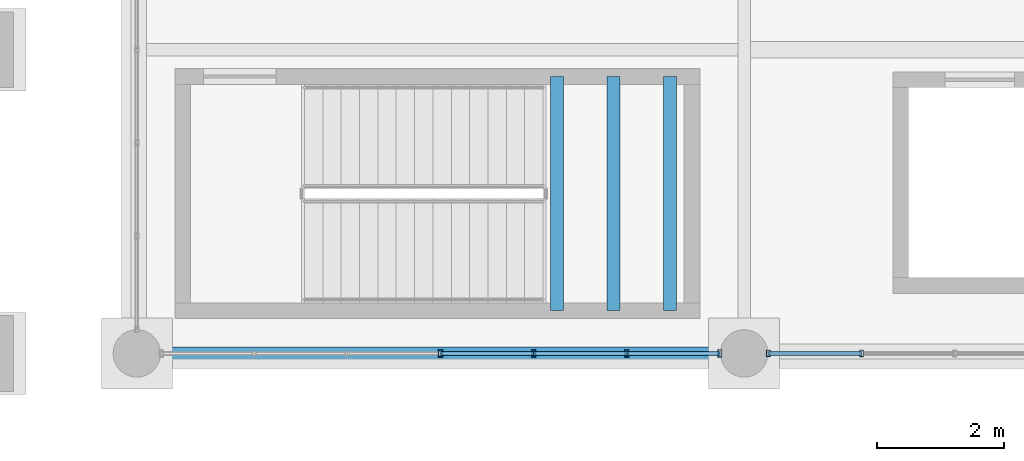
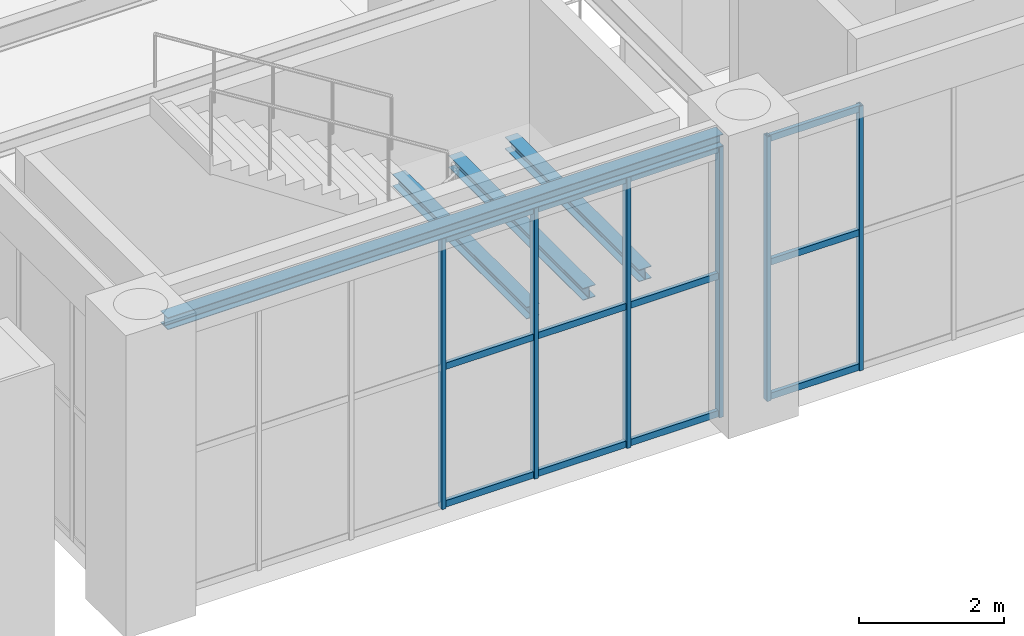
# One storey, part 32 of 174: 18 members, 4 beams, 2 elements without a shape of their own.
"""IFC4 building model written with IfcOpenShell, lengths in metres."""

import ifcopenshell
import ifcopenshell.guid

model = None  # the IFC model being written
_history = None  # IfcOwnerHistory: only IFC2X3 demands one
_inside = {}  # id of a spatial element -> (the spatial element, [elements in it])
_under = {}  # id of a project, library or spatial element -> (it, [spatial elements below it])
_declared = {}  # id of a project -> (the project, [libraries it declares])
_typed = {}  # id of a type object -> (the type object, [elements of that type])
_made_of = {}  # id of a material, layer set ... -> (it, [elements and type objects made of it])


def new_model(schema):
    """Start an empty IFC model of exactly this schema.

    Asked for "IFC4X3", IfcOpenShell would pick the latest addendum, in which some entities
    have other attributes; the version numbers below select the first issue.
    IFC2X3 requires an IfcOwnerHistory on every rooted entity: one is made here for all.
    """
    global model, _history
    if schema == "IFC4X3":
        model = ifcopenshell.file(schema_version=(4, 3, 0, 0))
    else:
        model = ifcopenshell.file(schema=schema)
    _inside.clear()
    _under.clear()
    _declared.clear()
    _typed.clear()
    _made_of.clear()
    _history = None
    if model.schema == "IFC2X3":
        org = make("IfcOrganization", Name="unknown")
        user = make(
            "IfcPersonAndOrganization",
            ThePerson=make("IfcPerson", FamilyName="unknown"),
            TheOrganization=org,
        )
        app = make(
            "IfcApplication",
            ApplicationDeveloper=org,
            Version="unknown",
            ApplicationFullName="unknown",
            ApplicationIdentifier="unknown",
        )
        _history = make(
            "IfcOwnerHistory",
            OwningUser=user,
            OwningApplication=app,
            ChangeAction="ADDED",
            CreationDate=0,
        )
    return model


def make(cls, **values):
    """One entity of the class cls with the attributes given. An attribute that is None is left unset."""
    return model.create_entity(
        cls, **{name: value for name, value in values.items() if value is not None}
    )


def rooted(cls, **values):
    """An entity with a GlobalId (a new one), such as an element, a storey or a relation."""
    return make(cls, GlobalId=ifcopenshell.guid.new(), OwnerHistory=_history, **values)


def si_unit(unit_type, name, prefix=None):
    """IfcSIUnit, for example si_unit("LENGTHUNIT", "METRE", prefix="MILLI")."""
    return make("IfcSIUnit", UnitType=unit_type, Prefix=prefix, Name=name)


def assignment(units):
    """IfcUnitAssignment: the units of a project."""
    return None if units is None else make("IfcUnitAssignment", Units=units)


def point(xyz):
    """IfcCartesianPoint."""
    return None if xyz is None else make("IfcCartesianPoint", Coordinates=xyz)


def direction(xyz):
    """IfcDirection."""
    return None if xyz is None else make("IfcDirection", DirectionRatios=xyz)


def frame(location, z_axis=None, x_axis=None):
    """IfcAxis2Placement3D, a coordinate frame: its origin and axes. An axis left out is left unset."""
    return make(
        "IfcAxis2Placement3D",
        Location=point(location),
        Axis=direction(z_axis),
        RefDirection=direction(x_axis),
    )


def frame_2d(location, x_axis=None):
    """IfcAxis2Placement2D, a coordinate frame in the plane: its origin and x axis."""
    return make(
        "IfcAxis2Placement2D", Location=point(location), RefDirection=direction(x_axis)
    )


def origin():
    """The frame at (0, 0, 0) with its axes left unset."""
    return frame((0.0, 0.0, 0.0))


def origin_2d():
    """The frame at (0, 0) in the plane with its x axis left unset."""
    return frame_2d((0.0, 0.0))


def place(relative_to, where):
    """IfcLocalPlacement: puts the frame where relative to a parent placement (None: the world)."""
    return make(
        "IfcLocalPlacement", PlacementRelTo=relative_to, RelativePlacement=where
    )


def context(
    kind, dimensions, precision=None, world=None, true_north=None, identifier=None
):
    """IfcGeometricRepresentationContext, for example the 3D "Model" context."""
    return make(
        "IfcGeometricRepresentationContext",
        ContextIdentifier=identifier,
        ContextType=kind,
        CoordinateSpaceDimension=dimensions,
        Precision=precision,
        WorldCoordinateSystem=world,
        TrueNorth=true_north,
    )


def subcontext(parent, identifier, kind, view, scale=None):
    """IfcGeometricRepresentationSubContext, for example "Body" below "Model"."""
    return make(
        "IfcGeometricRepresentationSubContext",
        ContextIdentifier=identifier,
        ContextType=kind,
        ParentContext=parent,
        TargetScale=scale,
        TargetView=view,
    )


def project(units=None, contexts=None):
    """IfcProject with its units and contexts."""
    return rooted(
        "IfcProject",
        Name="project",
        RepresentationContexts=contexts,
        UnitsInContext=assignment(units),
    )


def spatial(cls, under=None, at=None, **own):
    """A site, building, storey or space (cls), placed at a placement, below another one or the project."""
    s = rooted(cls, ObjectPlacement=at, **own)
    if under is not None:
        _under.setdefault(under.id(), (under, []))[1].append(s)
    return s


def profile(cls, at=None, kind="AREA", **sizes):
    """A parametric profile (cls). Its sizes go by their IFC names, for example OverallWidth=200.0."""
    return make(cls, ProfileType=kind, Position=at, **sizes)


def hollow_rectangle(**sizes):
    """IfcRectangleHollowProfileDef."""
    return profile("IfcRectangleHollowProfileDef", **sizes)


def i_section(**sizes):
    """IfcIShapeProfileDef."""
    return profile("IfcIShapeProfileDef", **sizes)


def extrude(swept, where, along, depth):
    """IfcExtrudedAreaSolid: the profile swept, set in the frame where, extruded along a direction by depth."""
    return make(
        "IfcExtrudedAreaSolid",
        SweptArea=swept,
        Position=where,
        ExtrudedDirection=direction(along),
        Depth=depth,
    )


def shape(context_of_items, identifier, shape_type, items):
    """IfcShapeRepresentation: the items that make up one representation, for example the "Body"."""
    return make(
        "IfcShapeRepresentation",
        ContextOfItems=context_of_items,
        RepresentationIdentifier=identifier,
        RepresentationType=shape_type,
        Items=items,
    )


def material(Name=None, Category=None):
    """IfcMaterial."""
    return make("IfcMaterial", Name=Name, Category=Category)


def material_profile(
    of_material, cross_section, Name=None, Category=None, Priority=None
):
    """IfcMaterialProfile: a cross section and its material."""
    return make(
        "IfcMaterialProfile",
        Name=Name,
        Material=of_material,
        Profile=cross_section,
        Priority=Priority,
        Category=Category,
    )


def profile_set(profiles, Name=None, composite=None):
    """IfcMaterialProfileSet."""
    return make(
        "IfcMaterialProfileSet",
        Name=Name,
        MaterialProfiles=profiles,
        CompositeProfile=composite,
    )


def made_of(thing, what):
    """Note that an element or type object is made of a material, layer set ...; save() writes the relation."""
    if what is not None:
        _made_of.setdefault(what.id(), (what, []))[1].append(thing)
    return thing


def type_object(cls, material=None, **own):
    """A type object (cls), such as IfcWallType, which elements share."""
    return made_of(rooted(cls, **own), material)


def element(
    cls,
    number,
    at=None,
    inside=None,
    cuts=None,
    type_object=None,
    material=None,
    context=None,
    identifier="Body",
    shape_type=None,
    held_by="IfcProductDefinitionShape",
    body=None,
    shapes=None,
    **own,
):
    """One element of the class cls, such as IfcWall. Its Tag is "e" and its number.

    at: its placement. inside: the storey or other place that contains it. cuts: it is an
    opening in that element (IfcRelVoidsElement). A single representation is given by context,
    identifier, shape_type and body (its items); several are given by shapes. held_by: the class
    of the entity that holds the representations. save() writes the other relations.
    """
    e = rooted(cls, Tag="e%d" % number, ObjectPlacement=at, **own)
    if body is not None:
        shapes = [shape(context, identifier, shape_type, body)]
    if shapes is not None:
        e.Representation = make(held_by, Representations=shapes)
    if inside is not None:
        _inside.setdefault(inside.id(), (inside, []))[1].append(e)
    if cuts is not None:
        rooted(
            "IfcRelVoidsElement", RelatingBuildingElement=cuts, RelatedOpeningElement=e
        )
    if type_object is not None:
        _typed.setdefault(type_object.id(), (type_object, []))[1].append(e)
    return made_of(e, material)


def aggregate(whole, parts):
    """IfcRelAggregates: a whole, such as a stair, and the parts it consists of."""
    return rooted("IfcRelAggregates", RelatingObject=whole, RelatedObjects=parts)


def save(model, path):
    """Write the relations noted so far, then the file.

    IfcRelAggregates (storeys below a building ...), IfcRelContainedInSpatialStructure (elements
    in a storey), IfcRelDefinesByType, IfcRelAssociatesMaterial and IfcRelDeclares: one each for
    every whole, place, type object, material and project.
    """
    for whole, parts in _under.values():
        aggregate(whole, parts)
    for where, things in _inside.values():
        rooted(
            "IfcRelContainedInSpatialStructure",
            RelatedElements=things,
            RelatingStructure=where,
        )
    for kind, things in _typed.values():
        rooted("IfcRelDefinesByType", RelatedObjects=things, RelatingType=kind)
    for what, things in _made_of.values():
        rooted("IfcRelAssociatesMaterial", RelatedObjects=things, RelatingMaterial=what)
    for by, libraries in _declared.values():
        rooted("IfcRelDeclares", RelatingContext=by, RelatedDefinitions=libraries)
    model.write(path)


model = new_model("IFC4")

# Units and contexts
model_context = context("Model", 3, precision=1e-05, world=origin(), true_north=direction((0.0, 1.0)))
body_context = subcontext(model_context, "Body", "Model", "MODEL_VIEW")
ifc_project = project(units=[si_unit("LENGTHUNIT", "METRE"), si_unit("AREAUNIT", "SQUARE_METRE"), si_unit("VOLUMEUNIT", "CUBIC_METRE"), si_unit("PLANEANGLEUNIT", "RADIAN"), si_unit("MASSUNIT", "GRAM", prefix="KILO")], contexts=[model_context])

# Site, building, storey
site_placement = place(None, origin())
site = spatial("IfcSite", under=ifc_project, at=site_placement, CompositionType="ELEMENT")
building_placement = place(site_placement, origin())
building = spatial("IfcBuilding", under=site, at=building_placement, Name="Mavantir Sound Aquarium", CompositionType="ELEMENT")
storey_placement = place(building_placement, frame((0.0, 0.0, 5.39990234375)))
storey = spatial("IfcBuildingStorey", under=building, at=storey_placement, Name="L01", CompositionType="ELEMENT", Elevation=5.39990234375)

# Beams
ifc_material_1 = material(Name="Structural Steel ASTM A992 Gr50", Category="steel")
ifc_material_profile_1 = material_profile(ifc_material_1, i_section(OverallWidth=0.202880859375, OverallDepth=0.202880859375, WebThickness=0.007080078125, FlangeThickness=0.010986328125, FilletRadius=0.010009765625, at=origin_2d()), Name="W200X46")
ifc_profile_set_1 = profile_set([ifc_material_profile_1], Name="Structural Steel ASTM A992 Gr50")
beam_type_1 = type_object("IfcBeamType", Name="BM-W200X46-E", PredefinedType="LINTEL", material=ifc_profile_set_1)
beam_placement = place(storey_placement, frame((36.375, 40.800048828125, 4.694580078125), z_axis=(1.0, 0.0, 0.0), x_axis=(0.0, 1.0, 0.0)))
element("IfcBeam", 1, at=beam_placement, inside=storey, type_object=beam_type_1, Name="L01 primary beam SL-20 1182", PredefinedType="LINTEL", context=body_context, shape_type="SweptSolid", body=[
    extrude(i_section(OverallWidth=0.202880859375, OverallDepth=0.202880859375, WebThickness=0.007080078125, FlangeThickness=0.010986328125, FilletRadius=0.010009765625, at=origin_2d()), origin(), (0.0, 0.0, 1.0), 8.85009765625),
])
ifc_material_profile_2 = material_profile(ifc_material_1, i_section(OverallWidth=0.202880859375, OverallDepth=0.202880859375, WebThickness=0.007080078125, FlangeThickness=0.010986328125, FilletRadius=0.010009765625, at=origin_2d()), Name="W200X46")
ifc_profile_set_2 = profile_set([ifc_material_profile_2], Name="Structural Steel ASTM A992 Gr50")
beam_type_2 = type_object("IfcBeamType", Name="BM-W200X46-I", PredefinedType="LINTEL", material=ifc_profile_set_2)
for number, where, z_axis, x_axis, name in (
    (2, (42.639892578125, 41.47509765625, 2.24560546875), (0.0, 1.0, 0.0), (-1.0, 0.0, 0.0), "Stair ST8 landing support beam 148"),
    (3, (43.534912109375, 41.47509765625, 2.24560546875), (0.0, 1.0, 0.0), (-1.0, 0.0, 0.0), "Stair ST8 landing support beam 149"),
    (4, (44.429931640625, 41.47509765625, 2.24560546875), (0.0, 1.0, 0.0), (-1.0, 0.0, 0.0), "Stair ST8 landing support beam 150"),
):
    element("IfcBeam", number, at=place(storey_placement, frame(where, z_axis=z_axis, x_axis=x_axis)), inside=storey, type_object=beam_type_2, Name=name, PredefinedType="LINTEL", context=body_context, shape_type="SweptSolid", body=[
        extrude(i_section(OverallWidth=0.202880859375, OverallDepth=0.202880859375, WebThickness=0.007080078125, FlangeThickness=0.010986328125, FilletRadius=0.010009765625, at=origin_2d()), origin(), (0.0, 0.0, 1.0), 3.699951171875),
    ])

# Curtain wall, members
ifc_material_2 = material(Name="Anodised Marine Aluminium and Low-E Glass", Category="aluminium")
curtain_wall_type_1 = type_object("IfcCurtainWallType", Name="CW-T17", PredefinedType="USERDEFINED", material=ifc_material_2)
curtain_wall_1_placement = place(storey_placement, origin())
curtain_wall_1 = element("IfcCurtainWall", 5, at=curtain_wall_1_placement, inside=storey, type_object=curtain_wall_type_1, Name="L01 unitised curtain wall CW-17 65", ObjectType="UNITISED GLAZING", PredefinedType="USERDEFINED")
ifc_material_3 = material(Name="Anodised Marine Aluminium 6063-T6", Category="aluminium")
ifc_material_profile_3 = material_profile(ifc_material_3, hollow_rectangle(XDim=0.06005859375, YDim=0.10009765625, WallThickness=0.00390625, at=origin_2d()), Name="ALU-MULLION-100X60")
ifc_profile_set_3 = profile_set([ifc_material_profile_3], Name="Anodised Marine Aluminium 6063-T6")
member_type_1 = type_object("IfcMemberType", Name="CW-MUL-100", PredefinedType="MULLION", material=ifc_profile_set_3)
member_1_placement = place(storey_placement, frame((45.98291015625, 40.800048828125, 0.0), z_axis=(0.0, 0.0, 1.0), x_axis=(1.0, 0.0, 0.0)))
member_1 = element("IfcMember", 6, at=member_1_placement, type_object=member_type_1, Name="CW-L01-065 vertical mullion 1", PredefinedType="MULLION", context=body_context, shape_type="SweptSolid", body=[
    extrude(hollow_rectangle(XDim=0.06005859375, YDim=0.10009765625, WallThickness=0.00390625, at=origin_2d()), origin(), (0.0, 0.0, 1.0), 4.4580078125),
])
member_2_placement = place(storey_placement, frame((47.455322265625, 40.800048828125, 0.0), z_axis=(0.0, 0.0, 1.0), x_axis=(1.0, 0.0, 0.0)))
member_2 = element("IfcMember", 7, at=member_2_placement, type_object=member_type_1, Name="CW-L01-065 vertical mullion 2", PredefinedType="MULLION", context=body_context, shape_type="SweptSolid", body=[
    extrude(hollow_rectangle(XDim=0.06005859375, YDim=0.10009765625, WallThickness=0.00390625, at=origin_2d()), origin(), (0.0, 0.0, 1.0), 4.4580078125),
])

curtain_wall_type_2 = type_object("IfcCurtainWallType", Name="CW-T16", PredefinedType="USERDEFINED", material=ifc_material_2)
curtain_wall_2_placement = place(storey_placement, origin())
curtain_wall_2 = element("IfcCurtainWall", 8, at=curtain_wall_2_placement, inside=storey, type_object=curtain_wall_type_2, Name="L01 unitised curtain wall CW-16 64", ObjectType="UNITISED GLAZING", PredefinedType="USERDEFINED")
ifc_material_profile_4 = material_profile(ifc_material_3, hollow_rectangle(XDim=0.06494140625, YDim=0.1201171875, WallThickness=0.00390625, at=origin_2d()), Name="ALU-MULLION-120X65")
ifc_profile_set_4 = profile_set([ifc_material_profile_4], Name="Anodised Marine Aluminium 6063-T6")
member_type_2 = type_object("IfcMemberType", Name="CW-MUL-120", PredefinedType="MULLION", material=ifc_profile_set_4)
member_3_placement = place(storey_placement, frame((40.800048828125, 40.800048828125, 0.0), z_axis=(0.0, 0.0, 1.0), x_axis=(1.0, 0.0, 0.0)))
member_3 = element("IfcMember", 9, at=member_3_placement, type_object=member_type_2, Name="CW-L01-064 vertical mullion 4", PredefinedType="MULLION", context=body_context, shape_type="SweptSolid", body=[
    extrude(hollow_rectangle(XDim=0.06494140625, YDim=0.1201171875, WallThickness=0.00390625, at=origin_2d()), origin(), (0.0, 0.0, 1.0), 4.56298828125),
])
member_4_placement = place(storey_placement, frame((42.272216796875, 40.800048828125, 0.0), z_axis=(0.0, 0.0, 1.0), x_axis=(1.0, 0.0, 0.0)))
member_4 = element("IfcMember", 10, at=member_4_placement, type_object=member_type_2, Name="CW-L01-064 vertical mullion 5", PredefinedType="MULLION", context=body_context, shape_type="SweptSolid", body=[
    extrude(hollow_rectangle(XDim=0.06494140625, YDim=0.1201171875, WallThickness=0.00390625, at=origin_2d()), origin(), (0.0, 0.0, 1.0), 4.56298828125),
])
member_5_placement = place(storey_placement, frame((43.74462890625, 40.800048828125, 0.0), z_axis=(0.0, 0.0, 1.0), x_axis=(1.0, 0.0, 0.0)))
member_5 = element("IfcMember", 11, at=member_5_placement, type_object=member_type_2, Name="CW-L01-064 vertical mullion 6", PredefinedType="MULLION", context=body_context, shape_type="SweptSolid", body=[
    extrude(hollow_rectangle(XDim=0.06494140625, YDim=0.1201171875, WallThickness=0.00390625, at=origin_2d()), origin(), (0.0, 0.0, 1.0), 4.56298828125),
])
member_6_placement = place(storey_placement, frame((45.217041015625, 40.800048828125, 0.0), z_axis=(0.0, 0.0, 1.0), x_axis=(1.0, 0.0, 0.0)))
member_6 = element("IfcMember", 12, at=member_6_placement, type_object=member_type_2, Name="CW-L01-064 vertical mullion 7", PredefinedType="MULLION", context=body_context, shape_type="SweptSolid", body=[
    extrude(hollow_rectangle(XDim=0.06494140625, YDim=0.1201171875, WallThickness=0.00390625, at=origin_2d()), origin(), (0.0, 0.0, 1.0), 4.56298828125),
])
ifc_material_profile_5 = material_profile(ifc_material_3, hollow_rectangle(XDim=0.06005859375, YDim=0.110107421875, WallThickness=0.00390625, at=origin_2d()), Name="ALU-TRANSOM-110X60")
ifc_profile_set_5 = profile_set([ifc_material_profile_5], Name="Anodised Marine Aluminium 6063-T6")
member_type_3 = type_object("IfcMemberType", Name="CW-TRN-110", PredefinedType="USERDEFINED", material=ifc_profile_set_5)
member_7_placement = place(storey_placement, frame((40.800048828125, 40.800048828125, 0.05517578125), z_axis=(1.0, 0.0, 0.0), x_axis=(0.0, 1.0, 0.0)))
member_7 = element("IfcMember", 13, at=member_7_placement, type_object=member_type_3, Name="CW-L01-064 transom 4.1", ObjectType="TRANSOM", PredefinedType="USERDEFINED", context=body_context, shape_type="SweptSolid", body=[
    extrude(hollow_rectangle(XDim=0.06005859375, YDim=0.110107421875, WallThickness=0.00390625, at=origin_2d()), origin(), (0.0, 0.0, 1.0), 1.47216796875),
])
member_8_placement = place(storey_placement, frame((40.800048828125, 40.800048828125, 2.372802734375), z_axis=(1.0, 0.0, 0.0), x_axis=(0.0, 1.0, 0.0)))
member_8 = element("IfcMember", 14, at=member_8_placement, type_object=member_type_3, Name="CW-L01-064 transom 4.2", ObjectType="TRANSOM", PredefinedType="USERDEFINED", context=body_context, shape_type="SweptSolid", body=[
    extrude(hollow_rectangle(XDim=0.06005859375, YDim=0.110107421875, WallThickness=0.00390625, at=origin_2d()), origin(), (0.0, 0.0, 1.0), 1.47216796875),
])
member_9_placement = place(storey_placement, frame((40.800048828125, 40.800048828125, 4.508056640625), z_axis=(1.0, 0.0, 0.0), x_axis=(0.0, 1.0, 0.0)))
member_9 = element("IfcMember", 15, at=member_9_placement, type_object=member_type_3, Name="CW-L01-064 transom 4.3", ObjectType="TRANSOM", PredefinedType="USERDEFINED", context=body_context, shape_type="SweptSolid", body=[
    extrude(hollow_rectangle(XDim=0.06005859375, YDim=0.110107421875, WallThickness=0.00390625, at=origin_2d()), origin(), (0.0, 0.0, 1.0), 1.47216796875),
])
member_10_placement = place(storey_placement, frame((42.272216796875, 40.800048828125, 0.05517578125), z_axis=(1.0, 0.0, 0.0), x_axis=(0.0, 1.0, 0.0)))
member_10 = element("IfcMember", 16, at=member_10_placement, type_object=member_type_3, Name="CW-L01-064 transom 5.1", ObjectType="TRANSOM", PredefinedType="USERDEFINED", context=body_context, shape_type="SweptSolid", body=[
    extrude(hollow_rectangle(XDim=0.06005859375, YDim=0.110107421875, WallThickness=0.00390625, at=origin_2d()), origin(), (0.0, 0.0, 1.0), 1.472412109375),
])
member_11_placement = place(storey_placement, frame((42.272216796875, 40.800048828125, 2.372802734375), z_axis=(1.0, 0.0, 0.0), x_axis=(0.0, 1.0, 0.0)))
member_11 = element("IfcMember", 17, at=member_11_placement, type_object=member_type_3, Name="CW-L01-064 transom 5.2", ObjectType="TRANSOM", PredefinedType="USERDEFINED", context=body_context, shape_type="SweptSolid", body=[
    extrude(hollow_rectangle(XDim=0.06005859375, YDim=0.110107421875, WallThickness=0.00390625, at=origin_2d()), origin(), (0.0, 0.0, 1.0), 1.472412109375),
])
member_12_placement = place(storey_placement, frame((42.272216796875, 40.800048828125, 4.508056640625), z_axis=(1.0, 0.0, 0.0), x_axis=(0.0, 1.0, 0.0)))
member_12 = element("IfcMember", 18, at=member_12_placement, type_object=member_type_3, Name="CW-L01-064 transom 5.3", ObjectType="TRANSOM", PredefinedType="USERDEFINED", context=body_context, shape_type="SweptSolid", body=[
    extrude(hollow_rectangle(XDim=0.06005859375, YDim=0.110107421875, WallThickness=0.00390625, at=origin_2d()), origin(), (0.0, 0.0, 1.0), 1.472412109375),
])
member_13_placement = place(storey_placement, frame((43.74462890625, 40.800048828125, 0.05517578125), z_axis=(1.0, 0.0, 0.0), x_axis=(0.0, 1.0, 0.0)))
member_13 = element("IfcMember", 19, at=member_13_placement, type_object=member_type_3, Name="CW-L01-064 transom 6.1", ObjectType="TRANSOM", PredefinedType="USERDEFINED", context=body_context, shape_type="SweptSolid", body=[
    extrude(hollow_rectangle(XDim=0.06005859375, YDim=0.110107421875, WallThickness=0.00390625, at=origin_2d()), origin(), (0.0, 0.0, 1.0), 1.472412109375),
])
member_14_placement = place(storey_placement, frame((43.74462890625, 40.800048828125, 2.372802734375), z_axis=(1.0, 0.0, 0.0), x_axis=(0.0, 1.0, 0.0)))
member_14 = element("IfcMember", 20, at=member_14_placement, type_object=member_type_3, Name="CW-L01-064 transom 6.2", ObjectType="TRANSOM", PredefinedType="USERDEFINED", context=body_context, shape_type="SweptSolid", body=[
    extrude(hollow_rectangle(XDim=0.06005859375, YDim=0.110107421875, WallThickness=0.00390625, at=origin_2d()), origin(), (0.0, 0.0, 1.0), 1.472412109375),
])
member_15_placement = place(storey_placement, frame((43.74462890625, 40.800048828125, 4.508056640625), z_axis=(1.0, 0.0, 0.0), x_axis=(0.0, 1.0, 0.0)))
member_15 = element("IfcMember", 21, at=member_15_placement, type_object=member_type_3, Name="CW-L01-064 transom 6.3", ObjectType="TRANSOM", PredefinedType="USERDEFINED", context=body_context, shape_type="SweptSolid", body=[
    extrude(hollow_rectangle(XDim=0.06005859375, YDim=0.110107421875, WallThickness=0.00390625, at=origin_2d()), origin(), (0.0, 0.0, 1.0), 1.472412109375),
])
aggregate(curtain_wall_2, [member_3, member_4, member_5, member_6, member_7, member_8, member_9, member_10, member_11, member_12, member_13, member_14, member_15])

# Member
member_16_placement = place(storey_placement, frame((45.98291015625, 40.800048828125, 0.05517578125), z_axis=(1.0, 0.0, 0.0), x_axis=(0.0, 1.0, 0.0)))
member_16 = element("IfcMember", 22, at=member_16_placement, type_object=member_type_3, Name="CW-L01-065 transom 1.1", ObjectType="TRANSOM", PredefinedType="USERDEFINED", context=body_context, shape_type="SweptSolid", body=[
    extrude(hollow_rectangle(XDim=0.06005859375, YDim=0.110107421875, WallThickness=0.00390625, at=origin_2d()), origin(), (0.0, 0.0, 1.0), 1.472412109375),
])

member_17_placement = place(storey_placement, frame((45.98291015625, 40.800048828125, 2.318359375), z_axis=(1.0, 0.0, 0.0), x_axis=(0.0, 1.0, 0.0)))
member_17 = element("IfcMember", 23, at=member_17_placement, type_object=member_type_3, Name="CW-L01-065 transom 1.2", ObjectType="TRANSOM", PredefinedType="USERDEFINED", context=body_context, shape_type="SweptSolid", body=[
    extrude(hollow_rectangle(XDim=0.06005859375, YDim=0.110107421875, WallThickness=0.00390625, at=origin_2d()), origin(), (0.0, 0.0, 1.0), 1.472412109375),
])

member_18_placement = place(storey_placement, frame((45.98291015625, 40.800048828125, 4.403076171875), z_axis=(1.0, 0.0, 0.0), x_axis=(0.0, 1.0, 0.0)))
member_18 = element("IfcMember", 24, at=member_18_placement, type_object=member_type_3, Name="CW-L01-065 transom 1.3", ObjectType="TRANSOM", PredefinedType="USERDEFINED", context=body_context, shape_type="SweptSolid", body=[
    extrude(hollow_rectangle(XDim=0.06005859375, YDim=0.110107421875, WallThickness=0.00390625, at=origin_2d()), origin(), (0.0, 0.0, 1.0), 1.472412109375),
])

aggregate(curtain_wall_1, [member_1, member_2, member_16, member_17, member_18])

save(model, "model.ifc")
